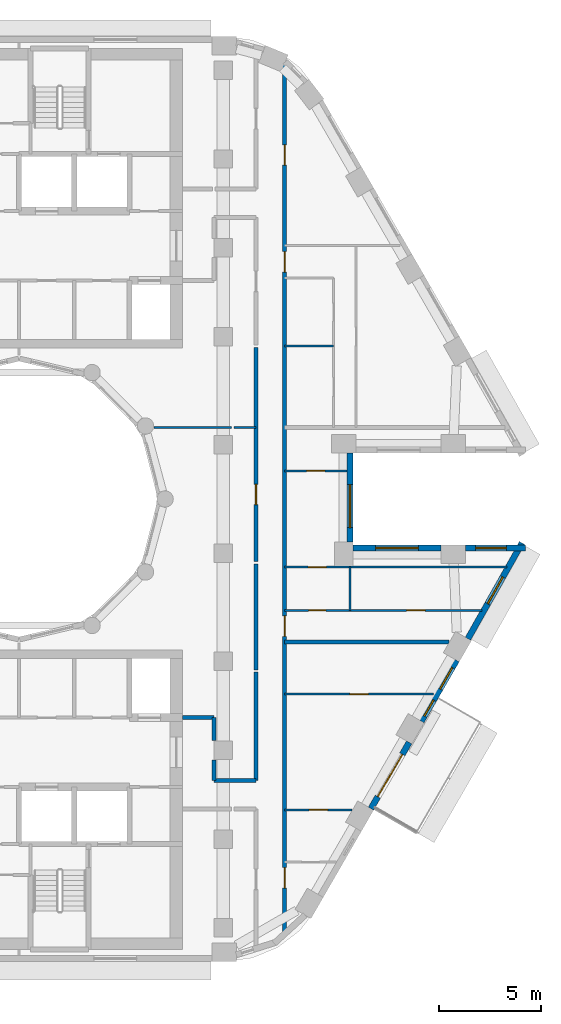
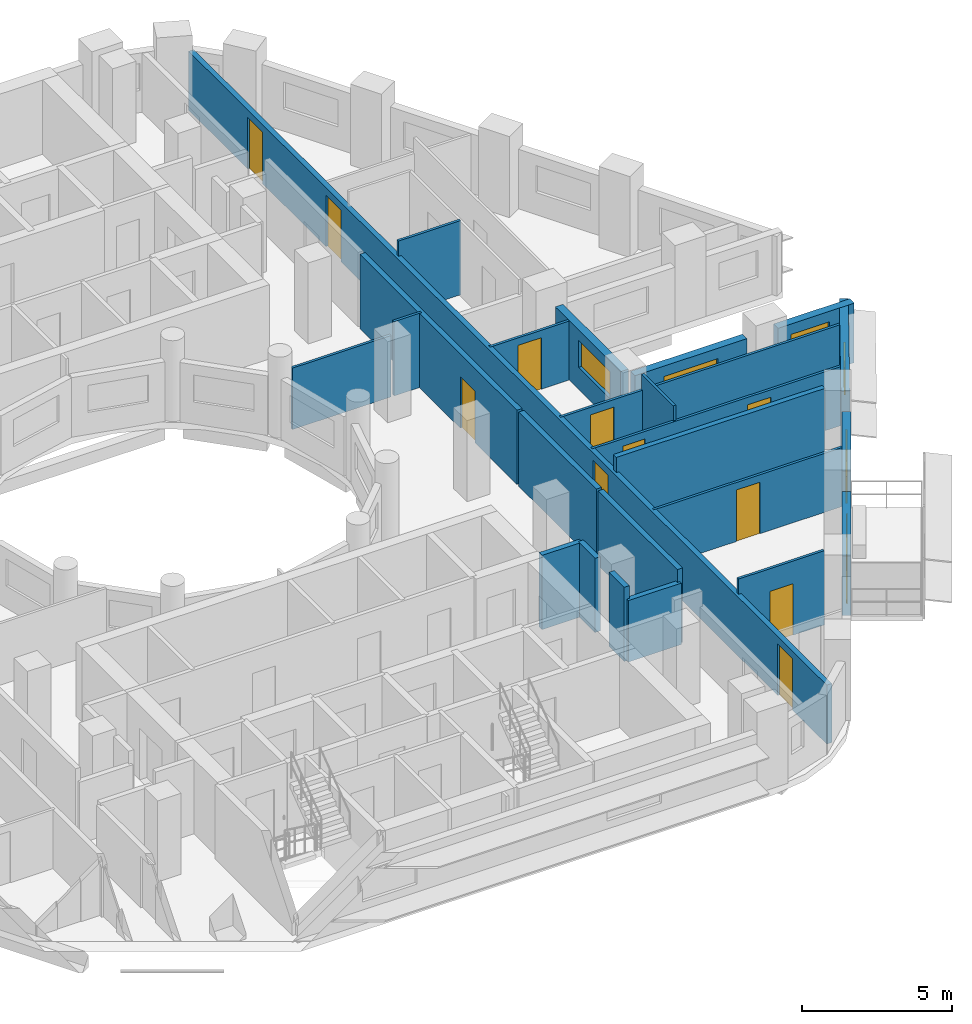
# One storey, part 6 of 16: 24 walls, 12 doors, 6 windows, 18 openings.
"""IFC4 building model written with IfcOpenShell, lengths in metres."""

from ifc_helpers import new_model, si_unit, direction, frame, frame_2d, origin, place, context, subcontext, project, spatial, rectangle, extrude, material, layer, layer_set, type_object, element, fill, save


model = new_model("IFC4")

# Units and contexts
model_context = context("Model", 3, precision=1e-05, world=origin(), true_north=direction((0.0, 1.0)))
body_context = subcontext(model_context, "Body", "Model", "MODEL_VIEW")
ifc_project = project(units=[si_unit("LENGTHUNIT", "METRE"), si_unit("AREAUNIT", "SQUARE_METRE"), si_unit("VOLUMEUNIT", "CUBIC_METRE"), si_unit("PLANEANGLEUNIT", "RADIAN"), si_unit("MASSUNIT", "GRAM", prefix="KILO")], contexts=[model_context])

# Site, building, storey
site_placement = place(None, origin())
site = spatial("IfcSite", under=ifc_project, at=site_placement, CompositionType="ELEMENT")
building_placement = place(site_placement, origin())
building = spatial("IfcBuilding", under=site, at=building_placement, Name="Nakaniwa Court", CompositionType="ELEMENT")
storey_placement = place(building_placement, frame((0.0, 0.0, 196.5)))
storey = spatial("IfcBuildingStorey", under=building, at=storey_placement, Name="L51", CompositionType="ELEMENT", Elevation=196.5)

# Walls
ifc_material_1 = material(Name="Acoustic double stud partition")
ifc_layer_1 = layer(ifc_material_1, 0.199951171875)
ifc_layer_set_1 = layer_set([ifc_layer_1], Name="Acoustic double stud partition")
wall_type_1 = type_object("IfcWallType", Name="Acoustic double stud partition 200", PredefinedType="PARTITIONING", material=ifc_layer_set_1)
wall_1_placement = place(storey_placement, frame((91.60009765625, 66.22509765625, 0.0), z_axis=(0.0, 0.0, 1.0), x_axis=(0.0, 1.0, 0.0)))
element("IfcWall", 1, at=wall_1_placement, inside=storey, type_object=wall_type_1, Name="Partition PW-070", PredefinedType="PARTITIONING", context=body_context, shape_type="SweptSolid", body=[
    extrude(rectangle(XDim=5.297607421875, YDim=0.199951171875, at=frame_2d((2.64892578125, 0.0))), origin(), (0.0, 0.0, 1.0), 3.02490234375),
])
wall_2_placement = place(storey_placement, frame((91.60009765625, 71.63720703125, 0.0), z_axis=(0.0, 0.0, 1.0), x_axis=(0.0, 1.0, 0.0)))
element("IfcWall", 2, at=wall_2_placement, inside=storey, type_object=wall_type_1, Name="Partition PW-071", PredefinedType="PARTITIONING", context=body_context, shape_type="SweptSolid", body=[
    extrude(rectangle(XDim=5.185546875, YDim=0.199951171875, at=frame_2d((2.5927734375, 0.0))), origin(), (0.0, 0.0, 1.0), 3.02490234375),
])

# Wall, opening, door
wall_3_placement = place(storey_placement, frame((91.60009765625, 76.937255859375, 0.0), z_axis=(0.0, 0.0, 1.0), x_axis=(0.0, 1.0, 0.0)))
wall_3 = element("IfcWall", 3, at=wall_3_placement, inside=storey, type_object=wall_type_1, Name="Partition PW-072", PredefinedType="PARTITIONING", context=body_context, shape_type="SweptSolid", body=[
    extrude(rectangle(XDim=10.485595703125, YDim=0.199951171875, at=frame_2d((5.24267578125, 0.0))), origin(), (0.0, 0.0, 1.0), 3.02490234375),
])
opening_1_placement = place(wall_3_placement, frame((2.782958984375, 0.0, 0.0)))
opening_1 = element("IfcOpeningElement", 4, at=opening_1_placement, cuts=wall_3, Name="Opening D-02-02", PredefinedType="OPENING", context=body_context, shape_type="SweptSolid", body=[
    extrude(rectangle(XDim=1.0, YDim=2.10009765625, at=frame_2d((0.5, 1.050048828125))), frame((0.0, 0.10986328125, 0.0), z_axis=(0.0, -1.0, 0.0), x_axis=(1.0, 0.0, 0.0)), (0.0, 0.0, 1.0), 0.219970703125),
])
ifc_material_2 = material(Name="Solid core timber door set, black veneer", Category="wood")
door_type_1 = type_object("IfcDoorType", Name="Internal door 1000", OperationType="NOTDEFINED", PredefinedType="DOOR", material=ifc_material_2)
door_1_placement = place(opening_1_placement, origin())
door_1 = element("IfcDoor", 5, at=door_1_placement, inside=storey, type_object=door_type_1, Name="Door D-02-02 L51-030", OperationType="SINGLE_SWING_LEFT", OverallHeight=2.10009765625, OverallWidth=1.0, PredefinedType="DOOR", context=body_context, shape_type="SweptSolid", body=[
    extrude(rectangle(XDim=1.0, YDim=2.10009765625, at=frame_2d((0.5, 1.050048828125))), frame((0.0, 0.02490234375, 0.0), z_axis=(0.0, -1.0, 0.0), x_axis=(1.0, 0.0, 0.0)), (0.0, 0.0, 1.0), 0.050048828125),
])
fill(opening_1, door_1)

# Wall, openings, doors
wall_4_placement = place(storey_placement, frame((93.0, 101.28076171875, 0.0), z_axis=(0.0, 0.0, 1.0), x_axis=(0.0, -1.0, 0.0)))
wall_4 = element("IfcWall", 6, at=wall_4_placement, inside=storey, type_object=wall_type_1, Name="Partition PW-079", PredefinedType="PARTITIONING", context=body_context, shape_type="SweptSolid", body=[
    extrude(rectangle(XDim=42.6064453125, YDim=0.199951171875, at=frame_2d((21.30322265625, 0.0))), origin(), (0.0, 0.0, 1.0), 2.405029296875),
])
opening_2_placement = place(wall_4_placement, frame((39.330078125, 0.0, 0.0)))
opening_2 = element("IfcOpeningElement", 7, at=opening_2_placement, cuts=wall_4, Name="Opening D-01-01", PredefinedType="OPENING", context=body_context, shape_type="SweptSolid", body=[
    extrude(rectangle(XDim=1.0, YDim=2.10009765625, at=frame_2d((0.5, 1.050048828125))), frame((0.0, 0.10986328125, 0.0), z_axis=(0.0, -1.0, 0.0), x_axis=(1.0, 0.0, 0.0)), (0.0, 0.0, 1.0), 0.219970703125),
])
opening_3_placement = place(wall_4_placement, frame((27.0048828125, 0.0, 0.0)))
opening_3 = element("IfcOpeningElement", 8, at=opening_3_placement, cuts=wall_4, Name="Opening D-01-02", PredefinedType="OPENING", context=body_context, shape_type="SweptSolid", body=[
    extrude(rectangle(XDim=1.0, YDim=2.10009765625, at=frame_2d((0.5, 1.050048828125))), frame((0.0, 0.10986328125, 0.0), z_axis=(0.0, -1.0, 0.0), x_axis=(1.0, 0.0, 0.0)), (0.0, 0.0, 1.0), 0.219970703125),
])
opening_4_placement = place(wall_4_placement, frame((9.16796875, 0.0, 0.0)))
opening_4 = element("IfcOpeningElement", 9, at=opening_4_placement, cuts=wall_4, Name="Opening D-01-03", PredefinedType="OPENING", context=body_context, shape_type="SweptSolid", body=[
    extrude(rectangle(XDim=1.0, YDim=2.10009765625, at=frame_2d((0.5, 1.050048828125))), frame((0.0, 0.10986328125, 0.0), z_axis=(0.0, -1.0, 0.0), x_axis=(1.0, 0.0, 0.0)), (0.0, 0.0, 1.0), 0.219970703125),
])
opening_5_placement = place(wall_4_placement, frame((3.93701171875, 0.0, 0.0)))
opening_5 = element("IfcOpeningElement", 10, at=opening_5_placement, cuts=wall_4, Name="Opening D-02-08", PredefinedType="OPENING", context=body_context, shape_type="SweptSolid", body=[
    extrude(rectangle(XDim=1.0, YDim=2.10009765625, at=frame_2d((0.5, 1.050048828125))), frame((0.0, 0.10986328125, 0.0), z_axis=(0.0, -1.0, 0.0), x_axis=(1.0, 0.0, 0.0)), (0.0, 0.0, 1.0), 0.219970703125),
])
door_type_2 = type_object("IfcDoorType", Name="Flat entrance door 1000", OperationType="NOTDEFINED", PredefinedType="DOOR", material=ifc_material_2)
door_2_placement = place(opening_2_placement, origin())
door_2 = element("IfcDoor", 11, at=door_2_placement, inside=storey, type_object=door_type_2, Name="Door D-01-01 L51-026", OperationType="SINGLE_SWING_LEFT", OverallHeight=2.10009765625, OverallWidth=1.0, PredefinedType="DOOR", context=body_context, shape_type="SweptSolid", body=[
    extrude(rectangle(XDim=1.0, YDim=2.10009765625, at=frame_2d((0.5, 1.050048828125))), frame((0.0, 0.02490234375, 0.0), z_axis=(0.0, -1.0, 0.0), x_axis=(1.0, 0.0, 0.0)), (0.0, 0.0, 1.0), 0.050048828125),
])
fill(opening_2, door_2)
door_3_placement = place(opening_3_placement, origin())
door_3 = element("IfcDoor", 12, at=door_3_placement, inside=storey, type_object=door_type_2, Name="Door D-01-02 L51-031", OperationType="SINGLE_SWING_RIGHT", OverallHeight=2.10009765625, OverallWidth=1.0, PredefinedType="DOOR", context=body_context, shape_type="SweptSolid", body=[
    extrude(rectangle(XDim=1.0, YDim=2.10009765625, at=frame_2d((0.5, 1.050048828125))), frame((0.0, 0.02490234375, 0.0), z_axis=(0.0, -1.0, 0.0), x_axis=(1.0, 0.0, 0.0)), (0.0, 0.0, 1.0), 0.050048828125),
])
fill(opening_3, door_3)
door_4_placement = place(opening_4_placement, origin())
door_4 = element("IfcDoor", 13, at=door_4_placement, inside=storey, type_object=door_type_2, Name="Door D-01-03 L51-037", OperationType="SINGLE_SWING_RIGHT", OverallHeight=2.10009765625, OverallWidth=1.0, PredefinedType="DOOR", context=body_context, shape_type="SweptSolid", body=[
    extrude(rectangle(XDim=1.0, YDim=2.10009765625, at=frame_2d((0.5, 1.050048828125))), frame((0.0, 0.02490234375, 0.0), z_axis=(0.0, -1.0, 0.0), x_axis=(1.0, 0.0, 0.0)), (0.0, 0.0, 1.0), 0.050048828125),
])
fill(opening_4, door_4)
door_5_placement = place(opening_5_placement, origin())
door_5 = element("IfcDoor", 14, at=door_5_placement, inside=storey, type_object=door_type_1, Name="Door D-02-08 L51-055", OperationType="SINGLE_SWING_RIGHT", OverallHeight=2.10009765625, OverallWidth=1.0, PredefinedType="DOOR", context=body_context, shape_type="SweptSolid", body=[
    extrude(rectangle(XDim=1.0, YDim=2.10009765625, at=frame_2d((0.5, 1.050048828125))), frame((0.0, 0.02490234375, 0.0), z_axis=(0.0, -1.0, 0.0), x_axis=(1.0, 0.0, 0.0)), (0.0, 0.0, 1.0), 0.050048828125),
])
fill(opening_5, door_5)

# Walls
wall_5_placement = place(storey_placement, frame((88.0, 69.300048828125, 0.0), z_axis=(0.0, 0.0, 1.0), x_axis=(1.0, 0.0, 0.0)))
element("IfcWall", 15, at=wall_5_placement, inside=storey, type_object=wall_type_1, Name="Partition PW-081", PredefinedType="PARTITIONING", context=body_context, shape_type="SweptSolid", body=[
    extrude(rectangle(XDim=1.550048828125, YDim=0.199951171875, at=frame_2d((0.77490234375, 0.0))), origin(), (0.0, 0.0, 1.0), 3.02490234375),
])
wall_6_placement = place(storey_placement, frame((89.550048828125, 66.22509765625, 0.0), z_axis=(0.0, 0.0, 1.0), x_axis=(0.0, 1.0, 0.0)))
element("IfcWall", 16, at=wall_6_placement, inside=storey, type_object=wall_type_1, Name="Partition PW-082", PredefinedType="PARTITIONING", context=body_context, shape_type="SweptSolid", body=[
    extrude(rectangle(XDim=1.0078125, YDim=0.199951171875, at=frame_2d((0.50390625, 0.0))), origin(), (0.0, 0.0, 1.0), 3.02490234375),
])
wall_7_placement = place(storey_placement, frame((89.550048828125, 68.167236328125, 0.0), z_axis=(0.0, 0.0, 1.0), x_axis=(0.0, 1.0, 0.0)))
element("IfcWall", 17, at=wall_7_placement, inside=storey, type_object=wall_type_1, Name="Partition PW-083", PredefinedType="PARTITIONING", context=body_context, shape_type="SweptSolid", body=[
    extrude(rectangle(XDim=1.1328125, YDim=0.199951171875, at=frame_2d((0.56640625, 0.0))), origin(), (0.0, 0.0, 1.0), 3.02490234375),
])
wall_8_placement = place(storey_placement, frame((89.550048828125, 66.22509765625, 0.0), z_axis=(0.0, 0.0, 1.0), x_axis=(1.0, 0.0, 0.0)))
element("IfcWall", 18, at=wall_8_placement, inside=storey, type_object=wall_type_1, Name="Partition PW-087", PredefinedType="PARTITIONING", context=body_context, shape_type="SweptSolid", body=[
    extrude(rectangle(XDim=2.050048828125, YDim=0.199951171875, at=frame_2d((1.02490234375, 0.0))), origin(), (0.0, 0.0, 1.0), 2.5048828125),
])
wall_9_placement = place(storey_placement, frame((93.0009765625, 73.0, 0.0), z_axis=(0.0, 0.0, 1.0), x_axis=(1.0, 0.0, 0.0)))
element("IfcWall", 19, at=wall_9_placement, inside=storey, type_object=wall_type_1, Name="Partition PW-115", PredefinedType="PARTITIONING", context=body_context, shape_type="SweptSolid", body=[
    extrude(rectangle(XDim=8.04931640625, YDim=0.199951171875, at=frame_2d((4.024658203125, 0.0))), origin(), (0.0, 0.0, 1.0), 3.02490234375),
])

# Wall, opening, door
ifc_material_3 = material(Name="Charcoal ceramic cladding")
ifc_layer_2 = layer(ifc_material_3, 0.02, Name="Ceramic cladding")
ifc_material_4 = material(Name="Ventilated air cavity")
ifc_layer_3 = layer(ifc_material_4, 0.04, ventilated=True, Name="Ventilated cavity")
ifc_material_5 = material(Name="Mineral wool insulation")
ifc_layer_4 = layer(ifc_material_5, 0.1, Name="Insulation")
ifc_material_6 = material(Name="Cement bonded sheathing board")
ifc_layer_5 = layer(ifc_material_6, 0.012, Name="Sheathing")
ifc_material_7 = material(Name="Cold-formed galvanised stud frame with mineral wool infill")
ifc_layer_6 = layer(ifc_material_7, 0.1, Name="Stud frame")
ifc_material_8 = material(Name="Fire-rated gypsum plasterboard lining")
ifc_layer_7 = layer(ifc_material_8, 0.028, Name="Lining")
ifc_layer_set_2 = layer_set([ifc_layer_2, ifc_layer_3, ifc_layer_4, ifc_layer_5, ifc_layer_6, ifc_layer_7], Name="Charcoal ceramic faced external wall system")
wall_type_2 = type_object("IfcWallType", Name="Black ceramic faced external wall 300", PredefinedType="SOLIDWALL", material=ifc_layer_set_2)
wall_10_placement = place(storey_placement, frame((97.22900390625, 64.841552734375, 0.0), z_axis=(0.0, 0.0, 1.0), x_axis=(0.500059225181, 0.86599120741, 0.0)))
wall_10 = element("IfcWall", 20, at=wall_10_placement, inside=storey, type_object=wall_type_2, Name="L51 external wall 30", PredefinedType="SOLIDWALL", context=body_context, shape_type="SweptSolid", body=[
    extrude(rectangle(XDim=3.744140625, YDim=0.300048828125, at=frame_2d((1.8720703125, 0.0))), origin(), (0.0, 0.0, 1.0), 2.425048828125),
])
opening_6_placement = place(wall_10_placement, frame((0.672119140625, 0.0, 0.0)))
opening_6 = element("IfcOpeningElement", 21, at=opening_6_placement, cuts=wall_10, Name="Opening XD13.02", PredefinedType="OPENING", context=body_context, shape_type="SweptSolid", body=[
    extrude(rectangle(XDim=2.39990234375, YDim=2.0, at=frame_2d((1.199951171875, 1.0))), frame((0.0, 0.159912109375, 0.0), z_axis=(0.0, -1.0, 0.0), x_axis=(1.0, 0.0, 0.0)), (0.0, 0.0, 1.0), 0.320068359375),
])
ifc_material_9 = material(Name="Black powder-coated aluminium frame with dark laminated glass", Category="aluminium")
door_type_3 = type_object("IfcDoorType", Name="Balcony sliding door 2400x2000", OperationType="DOUBLE_DOOR_SLIDING", PredefinedType="DOOR", material=ifc_material_9)
door_6_placement = place(opening_6_placement, origin())
door_6 = element("IfcDoor", 22, at=door_6_placement, inside=storey, type_object=door_type_3, Name="L51 balcony sliding door 02", OperationType="DOUBLE_DOOR_SLIDING", OverallHeight=2.0, OverallWidth=2.39990234375, PredefinedType="DOOR", context=body_context, shape_type="SweptSolid", body=[
    extrude(rectangle(XDim=2.39990234375, YDim=2.0, at=frame_2d((1.199951171875, 1.0))), frame((0.0, 0.02490234375, 0.0), z_axis=(0.0, -1.0, 0.0), x_axis=(1.0, 0.0, 0.0)), (0.0, 0.0, 1.0), 0.050048828125),
])
fill(opening_6, door_6)

# Wall, openings, windows
wall_11_placement = place(storey_placement, frame((99.697265625, 69.116455078125, 0.0), z_axis=(0.0, 0.0, 1.0), x_axis=(0.499955427682, 0.866051136095, 0.0)))
wall_11 = element("IfcWall", 23, at=wall_11_placement, inside=storey, type_object=wall_type_2, Name="L51 external wall 31", PredefinedType="SOLIDWALL", context=body_context, shape_type="SweptSolid", body=[
    extrude(rectangle(XDim=3.447021484375, YDim=0.300048828125, at=frame_2d((1.7236328125, 0.0))), origin(), (0.0, 0.0, 1.0), 2.425048828125),
])
opening_7_placement = place(wall_11_placement, frame((0.294677734375, 0.0, 0.89990234375)))
opening_7 = element("IfcOpeningElement", 24, at=opening_7_placement, cuts=wall_11, Name="Opening W9.30", PredefinedType="OPENING", context=body_context, shape_type="SweptSolid", body=[
    extrude(rectangle(XDim=0.89990234375, YDim=1.10009765625, at=frame_2d((0.449951171875, 0.550048828125))), frame((0.0, 0.159912109375, 0.0), z_axis=(0.0, -1.0, 0.0), x_axis=(1.0, 0.0, 0.0)), (0.0, 0.0, 1.0), 0.320068359375),
])
opening_8_placement = place(wall_11_placement, frame((1.831298828125, 0.0, 0.89990234375)))
opening_8 = element("IfcOpeningElement", 25, at=opening_8_placement, cuts=wall_11, Name="Opening W6.31", PredefinedType="OPENING", context=body_context, shape_type="SweptSolid", body=[
    extrude(rectangle(XDim=1.199951171875, YDim=1.10009765625, at=frame_2d((0.60009765625, 0.550048828125))), frame((0.0, 0.159912109375, 0.0), z_axis=(0.0, -1.0, 0.0), x_axis=(1.0, 0.0, 0.0)), (0.0, 0.0, 1.0), 0.320068359375),
])
ifc_material_10 = material(Name="Black anodised aluminium frame with dark low-E laminated double glazing", Category="aluminium")
window_type_1 = type_object("IfcWindowType", Name="Dark glass window 1200x1100 sill 900", PartitioningType="SINGLE_PANEL", PredefinedType="WINDOW", material=ifc_material_10)
window_1_placement = place(opening_8_placement, origin())
window_1 = element("IfcWindow", 26, at=window_1_placement, inside=storey, type_object=window_type_1, Name="L51 habitable room window 31-1", OverallHeight=1.10009765625, OverallWidth=1.199951171875, PartitioningType="SINGLE_PANEL", PredefinedType="WINDOW", context=body_context, shape_type="SweptSolid", body=[
    extrude(rectangle(XDim=1.199951171875, YDim=1.10009765625, at=frame_2d((0.60009765625, 0.550048828125))), frame((0.0, 0.030029296875, 0.0), z_axis=(0.0, -1.0, 0.0), x_axis=(1.0, 0.0, 0.0)), (0.0, 0.0, 1.0), 0.06005859375),
])
fill(opening_8, window_1)
window_type_2 = type_object("IfcWindowType", Name="Dark glass window 900x1100 sill 900", PartitioningType="SINGLE_PANEL", PredefinedType="WINDOW", material=ifc_material_10)
window_2_placement = place(opening_7_placement, origin())
window_2 = element("IfcWindow", 27, at=window_2_placement, inside=storey, type_object=window_type_2, Name="L51 living window 31-0", OverallHeight=1.10009765625, OverallWidth=0.89990234375, PartitioningType="SINGLE_PANEL", PredefinedType="WINDOW", context=body_context, shape_type="SweptSolid", body=[
    extrude(rectangle(XDim=0.89990234375, YDim=1.10009765625, at=frame_2d((0.449951171875, 0.550048828125))), frame((0.0, 0.030029296875, 0.0), z_axis=(0.0, -1.0, 0.0), x_axis=(1.0, 0.0, 0.0)), (0.0, 0.0, 1.0), 0.06005859375),
])
fill(opening_7, window_2)

# Wall, opening, window
wall_12_placement = place(storey_placement, frame((101.976806640625, 73.156982421875, 0.0), z_axis=(0.0, 0.0, 1.0), x_axis=(0.492033360928, 0.870576344575, 0.0)))
wall_12 = element("IfcWall", 28, at=wall_12_placement, inside=storey, type_object=wall_type_2, Name="L51 external wall 32", PredefinedType="SOLIDWALL", context=body_context, shape_type="SweptSolid", body=[
    extrude(rectangle(XDim=5.38671875, YDim=0.300048828125, at=frame_2d((2.693359375, 0.0))), origin(), (0.0, 0.0, 1.0), 2.425048828125),
])
opening_9_placement = place(wall_12_placement, frame((1.971435546875, 0.0, 0.89990234375)))
opening_9 = element("IfcOpeningElement", 29, at=opening_9_placement, cuts=wall_12, Name="Opening W5.32", PredefinedType="OPENING", context=body_context, shape_type="SweptSolid", body=[
    extrude(rectangle(XDim=1.5, YDim=1.10009765625, at=frame_2d((0.75, 0.550048828125))), frame((0.0, 0.159912109375, 0.0), z_axis=(0.0, -1.0, 0.0), x_axis=(1.0, 0.0, 0.0)), (0.0, 0.0, 1.0), 0.320068359375),
])
window_type_3 = type_object("IfcWindowType", Name="Dark glass window 1500x1100 sill 900", PartitioningType="SINGLE_PANEL", PredefinedType="WINDOW", material=ifc_material_10)
window_3_placement = place(opening_9_placement, origin())
window_3 = element("IfcWindow", 30, at=window_3_placement, inside=storey, type_object=window_type_3, Name="L51 habitable room window 32-1", OverallHeight=1.10009765625, OverallWidth=1.5, PartitioningType="SINGLE_PANEL", PredefinedType="WINDOW", context=body_context, shape_type="SweptSolid", body=[
    extrude(rectangle(XDim=1.5, YDim=1.10009765625, at=frame_2d((0.75, 0.550048828125))), frame((0.0, 0.030029296875, 0.0), z_axis=(0.0, -1.0, 0.0), x_axis=(1.0, 0.0, 0.0)), (0.0, 0.0, 1.0), 0.06005859375),
])
fill(opening_9, window_3)

wall_13_placement = place(storey_placement, frame((104.7978515625, 77.60009765625, 0.0), z_axis=(0.0, 0.0, 1.0), x_axis=(-1.0, 0.0, 0.0)))
wall_13 = element("IfcWall", 31, at=wall_13_placement, inside=storey, type_object=wall_type_2, Name="L51 external wall 33", PredefinedType="SOLIDWALL", context=body_context, shape_type="SweptSolid", body=[
    extrude(rectangle(XDim=2.937744140625, YDim=0.300048828125, at=frame_2d((1.46875, 0.0))), origin(), (0.0, 0.0, 1.0), 2.425048828125),
])
opening_10_placement = place(wall_13_placement, frame((0.944091796875, 0.0, 0.89990234375)))
opening_10 = element("IfcOpeningElement", 32, at=opening_10_placement, cuts=wall_13, Name="Opening W5.33", PredefinedType="OPENING", context=body_context, shape_type="SweptSolid", body=[
    extrude(rectangle(XDim=1.5, YDim=1.10009765625, at=frame_2d((0.75, 0.550048828125))), frame((0.0, 0.159912109375, 0.0), z_axis=(0.0, -1.0, 0.0), x_axis=(1.0, 0.0, 0.0)), (0.0, 0.0, 1.0), 0.320068359375),
])
window_4_placement = place(opening_10_placement, origin())
window_4 = element("IfcWindow", 33, at=window_4_placement, inside=storey, type_object=window_type_3, Name="L51 living window 33-0", OverallHeight=1.10009765625, OverallWidth=1.5, PartitioningType="SINGLE_PANEL", PredefinedType="WINDOW", context=body_context, shape_type="SweptSolid", body=[
    extrude(rectangle(XDim=1.5, YDim=1.10009765625, at=frame_2d((0.75, 0.550048828125))), frame((0.0, 0.030029296875, 0.0), z_axis=(0.0, -1.0, 0.0), x_axis=(1.0, 0.0, 0.0)), (0.0, 0.0, 1.0), 0.06005859375),
])
fill(opening_10, window_4)

wall_14_placement = place(storey_placement, frame((100.66796875, 77.60009765625, 0.0), z_axis=(0.0, 0.0, 1.0), x_axis=(-1.0, 0.0, 0.0)))
wall_14 = element("IfcWall", 34, at=wall_14_placement, inside=storey, type_object=wall_type_2, Name="L51 external wall 34", PredefinedType="SOLIDWALL", context=body_context, shape_type="SweptSolid", body=[
    extrude(rectangle(XDim=4.322509765625, YDim=0.300048828125, at=frame_2d((2.1611328125, 0.0))), origin(), (0.0, 0.0, 1.0), 2.425048828125),
])
opening_11_placement = place(wall_14_placement, frame((1.111083984375, 0.0, 0.89990234375)))
opening_11 = element("IfcOpeningElement", 35, at=opening_11_placement, cuts=wall_14, Name="Opening W7.34", PredefinedType="OPENING", context=body_context, shape_type="SweptSolid", body=[
    extrude(rectangle(XDim=2.10009765625, YDim=1.10009765625, at=frame_2d((1.050048828125, 0.550048828125))), frame((0.0, 0.159912109375, 0.0), z_axis=(0.0, -1.0, 0.0), x_axis=(1.0, 0.0, 0.0)), (0.0, 0.0, 1.0), 0.320068359375),
])
window_type_4 = type_object("IfcWindowType", Name="Dark glass window 2100x1100 sill 900", PartitioningType="SINGLE_PANEL", PredefinedType="WINDOW", material=ifc_material_10)
window_5_placement = place(opening_11_placement, origin())
window_5 = element("IfcWindow", 36, at=window_5_placement, inside=storey, type_object=window_type_4, Name="L51 living window 34-0", OverallHeight=1.10009765625, OverallWidth=2.10009765625, PartitioningType="SINGLE_PANEL", PredefinedType="WINDOW", context=body_context, shape_type="SweptSolid", body=[
    extrude(rectangle(XDim=2.10009765625, YDim=1.10009765625, at=frame_2d((1.050048828125, 0.550048828125))), frame((0.0, 0.030029296875, 0.0), z_axis=(0.0, -1.0, 0.0), x_axis=(1.0, 0.0, 0.0)), (0.0, 0.0, 1.0), 0.06005859375),
])
fill(opening_11, window_5)

wall_15_placement = place(storey_placement, frame((96.199462890625, 77.89599609375, 0.0), z_axis=(0.0, 0.0, 1.0), x_axis=(0.0, 1.0, 0.0)))
wall_15 = element("IfcWall", 37, at=wall_15_placement, inside=storey, type_object=wall_type_2, Name="L51 external wall 35", PredefinedType="SOLIDWALL", context=body_context, shape_type="SweptSolid", body=[
    extrude(rectangle(XDim=4.35791015625, YDim=0.300048828125, at=frame_2d((2.178955078125, 0.0))), origin(), (0.0, 0.0, 1.0), 2.425048828125),
])
opening_12_placement = place(wall_15_placement, frame((0.7041015625, 0.0, 0.89990234375)))
opening_12 = element("IfcOpeningElement", 38, at=opening_12_placement, cuts=wall_15, Name="Opening W7.35", PredefinedType="OPENING", context=body_context, shape_type="SweptSolid", body=[
    extrude(rectangle(XDim=2.10009765625, YDim=1.10009765625, at=frame_2d((1.050048828125, 0.550048828125))), frame((0.0, 0.159912109375, 0.0), z_axis=(0.0, -1.0, 0.0), x_axis=(1.0, 0.0, 0.0)), (0.0, 0.0, 1.0), 0.320068359375),
])
window_6_placement = place(opening_12_placement, origin())
window_6 = element("IfcWindow", 39, at=window_6_placement, inside=storey, type_object=window_type_4, Name="L51 living window 35-0", OverallHeight=1.10009765625, OverallWidth=2.10009765625, PartitioningType="SINGLE_PANEL", PredefinedType="WINDOW", context=body_context, shape_type="SweptSolid", body=[
    extrude(rectangle(XDim=2.10009765625, YDim=1.10009765625, at=frame_2d((1.050048828125, 0.550048828125))), frame((0.0, 0.030029296875, 0.0), z_axis=(0.0, -1.0, 0.0), x_axis=(1.0, 0.0, 0.0)), (0.0, 0.0, 1.0), 0.06005859375),
])
fill(opening_12, window_6)

# Wall, opening, door
ifc_material_11 = material(Name="Single stud plasterboard partition")
ifc_layer_8 = layer(ifc_material_11, 0.10009765625)
ifc_layer_set_3 = layer_set([ifc_layer_8], Name="Single stud plasterboard partition")
wall_type_3 = type_object("IfcWallType", Name="Single stud plasterboard partition 100", PredefinedType="PARTITIONING", material=ifc_layer_set_3)
wall_16_placement = place(storey_placement, frame((93.0009765625, 64.777099609375, 0.0), z_axis=(0.0, 0.0, 1.0), x_axis=(1.0, 0.0, 0.0)))
wall_16 = element("IfcWall", 40, at=wall_16_placement, inside=storey, type_object=wall_type_3, Name="Partition PW-113", PredefinedType="PARTITIONING", context=body_context, shape_type="SweptSolid", body=[
    extrude(rectangle(XDim=3.3017578125, YDim=0.10009765625, at=frame_2d((1.65087890625, 0.0))), origin(), (0.0, 0.0, 1.0), 3.02490234375),
])
opening_13_placement = place(wall_16_placement, frame((1.200927734375, 0.0, 0.0)))
opening_13 = element("IfcOpeningElement", 41, at=opening_13_placement, cuts=wall_16, Name="Opening D-33-01", PredefinedType="OPENING", context=body_context, shape_type="SweptSolid", body=[
    extrude(rectangle(XDim=0.89990234375, YDim=2.10009765625, at=frame_2d((0.449951171875, 1.050048828125))), frame((0.0, 0.06005859375, 0.0), z_axis=(0.0, -1.0, 0.0), x_axis=(1.0, 0.0, 0.0)), (0.0, 0.0, 1.0), 0.1201171875),
])
door_type_4 = type_object("IfcDoorType", Name="Internal door 900", OperationType="NOTDEFINED", PredefinedType="DOOR", material=ifc_material_2)
door_7_placement = place(opening_13_placement, origin())
door_7 = element("IfcDoor", 42, at=door_7_placement, inside=storey, type_object=door_type_4, Name="Door D-33-01 L51-028", OperationType="SINGLE_SWING_LEFT", OverallHeight=2.10009765625, OverallWidth=0.89990234375, PredefinedType="DOOR", context=body_context, shape_type="SweptSolid", body=[
    extrude(rectangle(XDim=0.89990234375, YDim=2.10009765625, at=frame_2d((0.449951171875, 1.050048828125))), frame((0.0, 0.02490234375, 0.0), z_axis=(0.0, -1.0, 0.0), x_axis=(1.0, 0.0, 0.0)), (0.0, 0.0, 1.0), 0.050048828125),
])
fill(opening_13, door_7)

wall_17_placement = place(storey_placement, frame((93.0009765625, 70.447998046875, 0.0), z_axis=(0.0, 0.0, 1.0), x_axis=(1.0, 0.0, 0.0)))
wall_17 = element("IfcWall", 43, at=wall_17_placement, inside=storey, type_object=wall_type_3, Name="Partition PW-114", PredefinedType="PARTITIONING", context=body_context, shape_type="SweptSolid", body=[
    extrude(rectangle(XDim=7.291748046875, YDim=0.10009765625, at=frame_2d((3.64599609375, 0.0))), origin(), (0.0, 0.0, 1.0), 2.405029296875),
])
opening_14_placement = place(wall_17_placement, frame((3.196044921875, 0.0, 0.0)))
opening_14 = element("IfcOpeningElement", 44, at=opening_14_placement, cuts=wall_17, Name="Opening D-33-02", PredefinedType="OPENING", context=body_context, shape_type="SweptSolid", body=[
    extrude(rectangle(XDim=0.89990234375, YDim=2.10009765625, at=frame_2d((0.449951171875, 1.050048828125))), frame((0.0, 0.06005859375, 0.0), z_axis=(0.0, -1.0, 0.0), x_axis=(1.0, 0.0, 0.0)), (0.0, 0.0, 1.0), 0.1201171875),
])
door_8_placement = place(opening_14_placement, origin())
door_8 = element("IfcDoor", 45, at=door_8_placement, inside=storey, type_object=door_type_4, Name="Door D-33-02 L51-029", OperationType="SINGLE_SWING_RIGHT", OverallHeight=2.10009765625, OverallWidth=0.89990234375, PredefinedType="DOOR", context=body_context, shape_type="SweptSolid", body=[
    extrude(rectangle(XDim=0.89990234375, YDim=2.10009765625, at=frame_2d((0.449951171875, 1.050048828125))), frame((0.0, 0.02490234375, 0.0), z_axis=(0.0, -1.0, 0.0), x_axis=(1.0, 0.0, 0.0)), (0.0, 0.0, 1.0), 0.050048828125),
])
fill(opening_14, door_8)

# Walls
wall_18_placement = place(storey_placement, frame((86.604736328125, 83.5, 0.0), z_axis=(0.0, 0.0, 1.0), x_axis=(1.0, 0.0, 0.0)))
element("IfcWall", 46, at=wall_18_placement, inside=storey, type_object=wall_type_3, Name="Partition PW-116", PredefinedType="PARTITIONING", context=body_context, shape_type="SweptSolid", body=[
    extrude(rectangle(XDim=3.80517578125, YDim=0.10009765625, at=frame_2d((1.902587890625, 0.0))), origin(), (0.0, 0.0, 1.0), 2.5048828125),
])
wall_19_placement = place(storey_placement, frame((90.530029296875, 83.5, 0.0), z_axis=(0.0, 0.0, 1.0), x_axis=(1.0, 0.0, 0.0)))
element("IfcWall", 47, at=wall_19_placement, inside=storey, type_object=wall_type_3, Name="Partition PW-117", PredefinedType="PARTITIONING", context=body_context, shape_type="SweptSolid", body=[
    extrude(rectangle(XDim=1.069091796875, YDim=0.10009765625, at=frame_2d((0.53466796875, 0.0))), origin(), (0.0, 0.0, 1.0), 3.02490234375),
])

# Wall, openings, doors
wall_20_placement = place(storey_placement, frame((93.0009765625, 74.550048828125, 0.0), z_axis=(0.0, 0.0, 1.0), x_axis=(1.0, 0.0, 0.0)))
wall_20 = element("IfcWall", 48, at=wall_20_placement, inside=storey, type_object=wall_type_3, Name="Partition PW-118", PredefinedType="PARTITIONING", context=body_context, shape_type="SweptSolid", body=[
    extrude(rectangle(XDim=9.659912109375, YDim=0.10009765625, at=frame_2d((4.830078125, 0.0))), origin(), (0.0, 0.0, 1.0), 2.405029296875),
])
opening_15_placement = place(wall_20_placement, frame((1.175048828125, 0.0, 0.0)))
opening_15 = element("IfcOpeningElement", 49, at=opening_15_placement, cuts=wall_20, Name="Opening D-03-02", PredefinedType="OPENING", context=body_context, shape_type="SweptSolid", body=[
    extrude(rectangle(XDim=0.85009765625, YDim=2.10009765625, at=frame_2d((0.425048828125, 1.050048828125))), frame((0.0, 0.06005859375, 0.0), z_axis=(0.0, -1.0, 0.0), x_axis=(1.0, 0.0, 0.0)), (0.0, 0.0, 1.0), 0.1201171875),
])
opening_16_placement = place(wall_20_placement, frame((5.97998046875, 0.0, 0.0)))
opening_16 = element("IfcOpeningElement", 50, at=opening_16_placement, cuts=wall_20, Name="Opening D-33-03", PredefinedType="OPENING", context=body_context, shape_type="SweptSolid", body=[
    extrude(rectangle(XDim=0.89990234375, YDim=2.10009765625, at=frame_2d((0.449951171875, 1.050048828125))), frame((0.0, 0.06005859375, 0.0), z_axis=(0.0, -1.0, 0.0), x_axis=(1.0, 0.0, 0.0)), (0.0, 0.0, 1.0), 0.1201171875),
])
ifc_material_12 = material(Name="Moisture sealed timber door set", Category="wood")
door_type_5 = type_object("IfcDoorType", Name="Bathroom door 850", OperationType="NOTDEFINED", PredefinedType="DOOR", material=ifc_material_12)
door_9_placement = place(opening_15_placement, origin())
door_9 = element("IfcDoor", 51, at=door_9_placement, inside=storey, type_object=door_type_5, Name="Door D-03-02 L51-032", OperationType="SINGLE_SWING_LEFT", OverallHeight=2.10009765625, OverallWidth=0.85009765625, PredefinedType="DOOR", context=body_context, shape_type="SweptSolid", body=[
    extrude(rectangle(XDim=0.85009765625, YDim=2.10009765625, at=frame_2d((0.425048828125, 1.050048828125))), frame((0.0, 0.02490234375, 0.0), z_axis=(0.0, -1.0, 0.0), x_axis=(1.0, 0.0, 0.0)), (0.0, 0.0, 1.0), 0.050048828125),
])
fill(opening_15, door_9)
door_10_placement = place(opening_16_placement, origin())
door_10 = element("IfcDoor", 52, at=door_10_placement, inside=storey, type_object=door_type_4, Name="Door D-33-03 L51-033", OperationType="SINGLE_SWING_RIGHT", OverallHeight=2.10009765625, OverallWidth=0.89990234375, PredefinedType="DOOR", context=body_context, shape_type="SweptSolid", body=[
    extrude(rectangle(XDim=0.89990234375, YDim=2.10009765625, at=frame_2d((0.449951171875, 1.050048828125))), frame((0.0, 0.02490234375, 0.0), z_axis=(0.0, -1.0, 0.0), x_axis=(1.0, 0.0, 0.0)), (0.0, 0.0, 1.0), 0.050048828125),
])
fill(opening_16, door_10)

# Wall
wall_21_placement = place(storey_placement, frame((96.200927734375, 74.550048828125, 0.0), z_axis=(0.0, 0.0, 1.0), x_axis=(0.0, 1.0, 0.0)))
element("IfcWall", 53, at=wall_21_placement, inside=storey, type_object=wall_type_3, Name="Partition PW-119", PredefinedType="PARTITIONING", context=body_context, shape_type="SweptSolid", body=[
    extrude(rectangle(XDim=2.11962890625, YDim=0.10009765625, at=frame_2d((1.059814453125, 0.0))), origin(), (0.0, 0.0, 1.0), 3.02490234375),
])

# Wall, opening, door
wall_22_placement = place(storey_placement, frame((93.0009765625, 76.669921875, 0.0), z_axis=(0.0, 0.0, 1.0), x_axis=(1.0, 0.0, 0.0)))
wall_22 = element("IfcWall", 54, at=wall_22_placement, inside=storey, type_object=wall_type_3, Name="Partition PW-120", PredefinedType="PARTITIONING", context=body_context, shape_type="SweptSolid", body=[
    extrude(rectangle(XDim=10.884033203125, YDim=0.10009765625, at=frame_2d((5.44189453125, 0.0))), origin(), (0.0, 0.0, 1.0), 2.405029296875),
])
opening_17_placement = place(wall_22_placement, frame((1.15087890625, 0.0, 0.0)))
opening_17 = element("IfcOpeningElement", 55, at=opening_17_placement, cuts=wall_22, Name="Opening D-33-04", PredefinedType="OPENING", context=body_context, shape_type="SweptSolid", body=[
    extrude(rectangle(XDim=0.89990234375, YDim=2.10009765625, at=frame_2d((0.449951171875, 1.050048828125))), frame((0.0, 0.06005859375, 0.0), z_axis=(0.0, -1.0, 0.0), x_axis=(1.0, 0.0, 0.0)), (0.0, 0.0, 1.0), 0.1201171875),
])
door_11_placement = place(opening_17_placement, origin())
door_11 = element("IfcDoor", 56, at=door_11_placement, inside=storey, type_object=door_type_4, Name="Door D-33-04 L51-034", OperationType="SINGLE_SWING_LEFT", OverallHeight=2.10009765625, OverallWidth=0.89990234375, PredefinedType="DOOR", context=body_context, shape_type="SweptSolid", body=[
    extrude(rectangle(XDim=0.89990234375, YDim=2.10009765625, at=frame_2d((0.449951171875, 1.050048828125))), frame((0.0, 0.02490234375, 0.0), z_axis=(0.0, -1.0, 0.0), x_axis=(1.0, 0.0, 0.0)), (0.0, 0.0, 1.0), 0.050048828125),
])
fill(opening_17, door_11)

wall_23_placement = place(storey_placement, frame((93.0009765625, 81.3798828125, 0.0), z_axis=(0.0, 0.0, 1.0), x_axis=(1.0, 0.0, 0.0)))
wall_23 = element("IfcWall", 57, at=wall_23_placement, inside=storey, type_object=wall_type_3, Name="Partition PW-121", PredefinedType="PARTITIONING", context=body_context, shape_type="SweptSolid", body=[
    extrude(rectangle(XDim=3.048583984375, YDim=0.10009765625, at=frame_2d((1.5244140625, 0.0))), origin(), (0.0, 0.0, 1.0), 2.405029296875),
])
opening_18_placement = place(wall_23_placement, frame((1.073974609375, 0.0, 0.0)))
opening_18 = element("IfcOpeningElement", 58, at=opening_18_placement, cuts=wall_23, Name="Opening D-33-05", PredefinedType="OPENING", context=body_context, shape_type="SweptSolid", body=[
    extrude(rectangle(XDim=0.89990234375, YDim=2.10009765625, at=frame_2d((0.449951171875, 1.050048828125))), frame((0.0, 0.06005859375, 0.0), z_axis=(0.0, -1.0, 0.0), x_axis=(1.0, 0.0, 0.0)), (0.0, 0.0, 1.0), 0.1201171875),
])
door_12_placement = place(opening_18_placement, origin())
door_12 = element("IfcDoor", 59, at=door_12_placement, inside=storey, type_object=door_type_4, Name="Door D-33-05 L51-035", OperationType="SINGLE_SWING_RIGHT", OverallHeight=2.10009765625, OverallWidth=0.89990234375, PredefinedType="DOOR", context=body_context, shape_type="SweptSolid", body=[
    extrude(rectangle(XDim=0.89990234375, YDim=2.10009765625, at=frame_2d((0.449951171875, 1.050048828125))), frame((0.0, 0.02490234375, 0.0), z_axis=(0.0, -1.0, 0.0), x_axis=(1.0, 0.0, 0.0)), (0.0, 0.0, 1.0), 0.050048828125),
])
fill(opening_18, door_12)

# Wall
wall_24_placement = place(storey_placement, frame((93.0009765625, 87.489013671875, 0.0), z_axis=(0.0, 0.0, 1.0), x_axis=(1.0, 0.0, 0.0)))
element("IfcWall", 60, at=wall_24_placement, inside=storey, type_object=wall_type_3, Name="Partition PW-123", PredefinedType="PARTITIONING", context=body_context, shape_type="SweptSolid", body=[
    extrude(rectangle(XDim=2.39990234375, YDim=0.10009765625, at=frame_2d((1.199951171875, 0.0))), origin(), (0.0, 0.0, 1.0), 3.02490234375),
])

save(model, "model.ifc")
